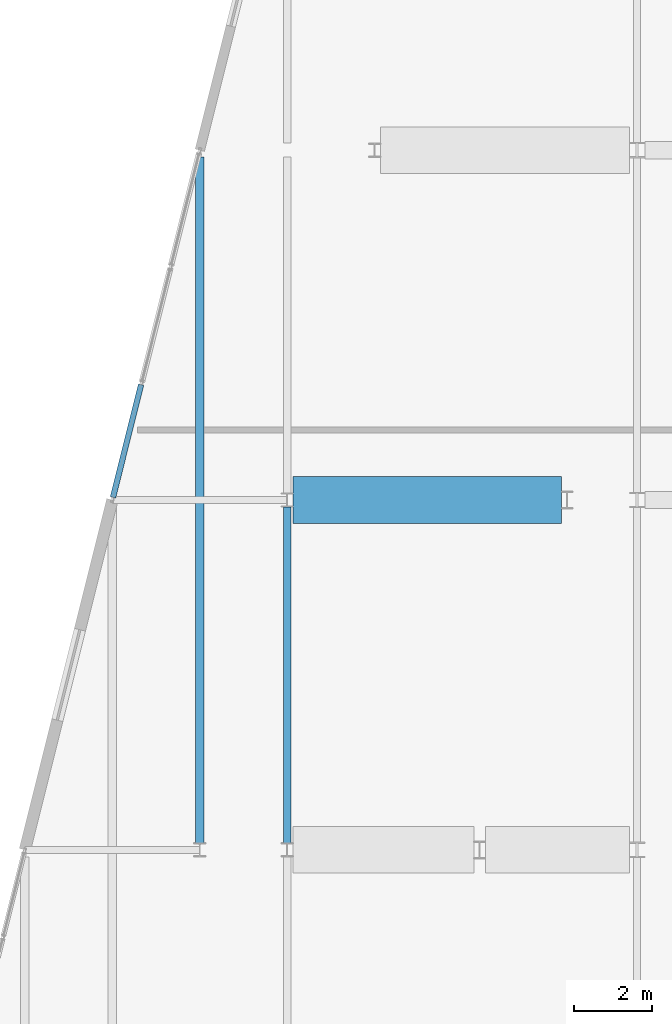
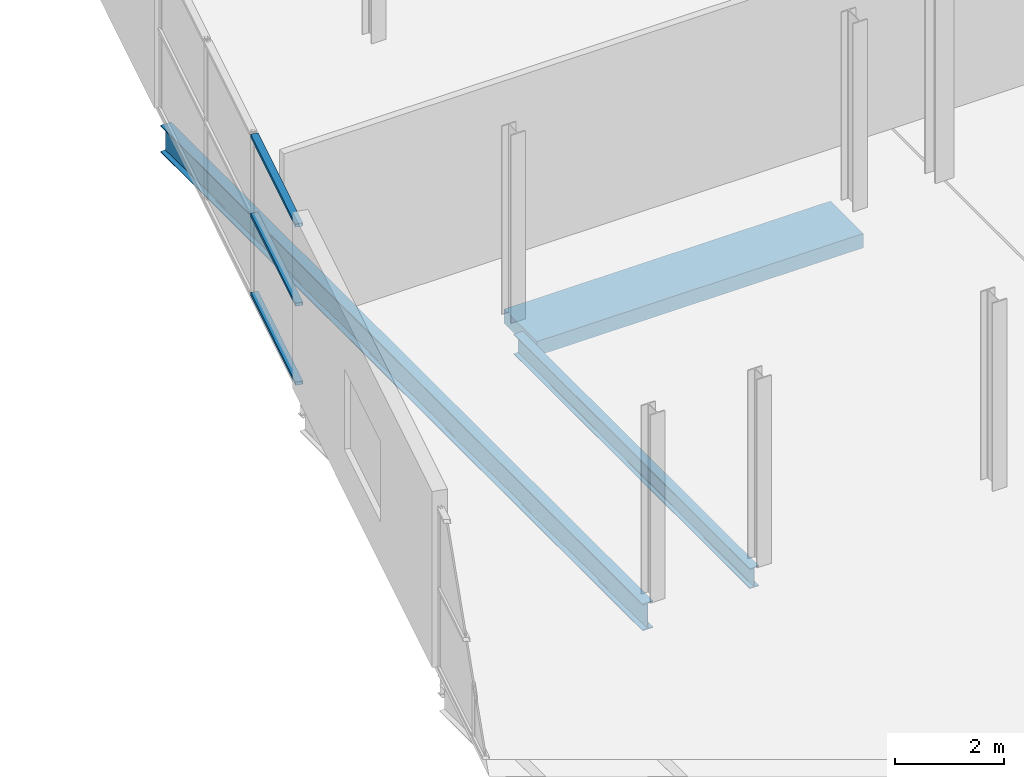
# One storey, part 91 of 132: 3 beams, 3 members, 1 element without a shape of its own.
"""IFC4 building model written with IfcOpenShell, lengths in metres."""

from ifc_helpers import new_model, si_unit, direction, frame, origin, origin_2d, place, context, subcontext, project, spatial, rectangle, hollow_rectangle, i_section, extrude, material, layer, layer_set, material_profile, profile_set, type_object, element, aggregate, save


model = new_model("IFC4")

# Units and contexts
model_context = context("Model", 3, precision=1e-05, world=origin(), true_north=direction((0.0, 1.0)))
body_context = subcontext(model_context, "Body", "Model", "MODEL_VIEW")
ifc_project = project(units=[si_unit("LENGTHUNIT", "METRE"), si_unit("AREAUNIT", "SQUARE_METRE"), si_unit("VOLUMEUNIT", "CUBIC_METRE"), si_unit("PLANEANGLEUNIT", "RADIAN"), si_unit("MASSUNIT", "GRAM", prefix="KILO")], contexts=[model_context])

# Site, building, storey
site_placement = place(None, origin())
site = spatial("IfcSite", under=ifc_project, at=site_placement, CompositionType="ELEMENT")
building_placement = place(site_placement, origin())
building = spatial("IfcBuilding", under=site, at=building_placement, Name="Deido Ridge Mobility Hub", CompositionType="ELEMENT")
storey_placement = place(building_placement, frame((0.0, 0.0, 8.39990234375)))
storey = spatial("IfcBuildingStorey", under=building, at=storey_placement, Name="L02", CompositionType="ELEMENT", Elevation=8.39990234375)

# Beams
ifc_material_1 = material(Name="Steel S355J2 EN 10025-2", Category="steel")
ifc_material_profile_1 = material_profile(ifc_material_1, i_section(OverallWidth=0.18994140625, OverallDepth=0.449951171875, WebThickness=0.009521484375, FlangeThickness=0.0146484375, FilletRadius=0.02099609375, at=origin_2d()), Name="IPE 450")
ifc_profile_set_1 = profile_set([ifc_material_profile_1], Name="Steel S355J2 EN 10025-2")
beam_type_1 = type_object("IfcBeamType", Name="BM-IPE450", PredefinedType="BEAM", material=ifc_profile_set_1)
beam_1_placement = place(storey_placement, frame((135.0, 45.179931640625, -0.47998046875), z_axis=(0.0, 1.0, 0.0), x_axis=(-1.0, 0.0, 0.0)))
element("IfcBeam", 1, at=beam_1_placement, inside=storey, type_object=beam_type_1, Name="Floor beam B4", PredefinedType="BEAM", context=body_context, shape_type="SweptSolid", body=[
    extrude(i_section(OverallWidth=0.18994140625, OverallDepth=0.449951171875, WebThickness=0.009521484375, FlangeThickness=0.0146484375, FilletRadius=0.02099609375, at=origin_2d()), origin(), (0.0, 0.0, 1.0), 8.64013671875),
])
ifc_material_profile_2 = material_profile(ifc_material_1, i_section(OverallWidth=0.219970703125, OverallDepth=0.60009765625, WebThickness=0.011962890625, FlangeThickness=0.01904296875, FilletRadius=0.02392578125, at=origin_2d()), Name="IPE 600")
ifc_profile_set_2 = profile_set([ifc_material_profile_2], Name="Steel S355J2 EN 10025-2")
beam_type_2 = type_object("IfcBeamType", Name="BM-IPE600", PredefinedType="BEAM", material=ifc_profile_set_2)
beam_2_placement = place(storey_placement, frame((132.75, 45.179931640625, -0.554931640625), z_axis=(0.0, 1.0, 0.0), x_axis=(-1.0, 0.0, 0.0)))
element("IfcBeam", 2, at=beam_2_placement, inside=storey, type_object=beam_type_2, Name="Floor beam B1", PredefinedType="BEAM", context=body_context, shape_type="SweptSolid", body=[
    extrude(i_section(OverallWidth=0.219970703125, OverallDepth=0.60009765625, WebThickness=0.011962890625, FlangeThickness=0.01904296875, FilletRadius=0.02392578125, at=origin_2d()), origin(), (0.0, 0.0, 1.0), 17.64013671875),
])
ifc_material_2 = material(Name="Precast concrete C40/50", Category="concrete")
ifc_material_profile_3 = material_profile(ifc_material_2, rectangle(XDim=1.199951171875, YDim=0.320068359375, at=origin_2d()), Name="RC HC 1200x320")
ifc_profile_set_3 = profile_set([ifc_material_profile_3], Name="Precast concrete C40/50")
beam_type_3 = type_object("IfcBeamType", Name="HC-1200X320", PredefinedType="HOLLOWCORE", material=ifc_profile_set_3)
beam_3_placement = place(storey_placement, frame((135.14990234375, 54.0, -0.414794921875), z_axis=(1.0, 0.0, 0.0), x_axis=(0.0, 1.0, 0.0)))
element("IfcBeam", 3, at=beam_3_placement, inside=storey, type_object=beam_type_3, Name="Precast hollowcore beam HC1", PredefinedType="HOLLOWCORE", context=body_context, shape_type="SweptSolid", body=[
    extrude(rectangle(XDim=1.199951171875, YDim=0.320068359375, at=origin_2d()), origin(), (0.0, 0.0, 1.0), 6.900146484375),
])

# Curtain wall, members
ifc_material_3 = material(Name="Anodised aluminium EN AW-6063 T6", Category="aluminium")
ifc_layer = layer(ifc_material_3, 0.239990234375, Name="Anodised aluminium EN AW-6063 T6")
ifc_layer_set = layer_set([ifc_layer], Name="Anodised aluminium EN AW-6063 T6")
curtain_wall_type = type_object("IfcCurtainWallType", Name="CW-UF-6", PredefinedType="USERDEFINED", material=ifc_layer_set)
curtain_wall_placement = place(storey_placement, origin())
curtain_wall = element("IfcCurtainWall", 4, at=curtain_wall_placement, inside=storey, type_object=curtain_wall_type, Name="Unitised curtain wall CW6", ObjectType="UNITISED FACADE", PredefinedType="USERDEFINED")
ifc_material_profile_4 = material_profile(ifc_material_3, hollow_rectangle(XDim=0.14501953125, YDim=0.070068359375, WallThickness=0.00390625, at=origin_2d()), Name="RHS 145x70x4")
ifc_profile_set_4 = profile_set([ifc_material_profile_4], Name="Anodised aluminium EN AW-6063 T6")
member_type = type_object("IfcMemberType", Name="MEM-TRN-145X70", PredefinedType="USERDEFINED", material=ifc_profile_set_4)
member_1_placement = place(storey_placement, frame((130.51708984375, 54.06787109375, 0.03515625), z_axis=(0.242477936405, 0.970156920481, 0.0), x_axis=(-0.970156920481, 0.242477936405, 0.0)))
member_1 = element("IfcMember", 5, at=member_1_placement, type_object=member_type, Name="CW6 transom 1.1", ObjectType="TRANSOM", PredefinedType="USERDEFINED", context=body_context, shape_type="SweptSolid", body=[
    extrude(hollow_rectangle(XDim=0.14501953125, YDim=0.070068359375, WallThickness=0.00390625, at=origin_2d()), origin(), (0.0, 0.0, 1.0), 2.9873046875),
])
member_2_placement = place(storey_placement, frame((130.51708984375, 54.06787109375, 1.800048828125), z_axis=(0.242477936405, 0.970156920481, 0.0), x_axis=(-0.970156920481, 0.242477936405, 0.0)))
member_2 = element("IfcMember", 6, at=member_2_placement, type_object=member_type, Name="CW6 transom 1.2", ObjectType="TRANSOM", PredefinedType="USERDEFINED", context=body_context, shape_type="SweptSolid", body=[
    extrude(hollow_rectangle(XDim=0.14501953125, YDim=0.070068359375, WallThickness=0.00390625, at=origin_2d()), origin(), (0.0, 0.0, 1.0), 2.9873046875),
])
member_3_placement = place(storey_placement, frame((130.51708984375, 54.06787109375, 3.565185546875), z_axis=(0.242477936405, 0.970156920481, 0.0), x_axis=(-0.970156920481, 0.242477936405, 0.0)))
member_3 = element("IfcMember", 7, at=member_3_placement, type_object=member_type, Name="CW6 transom 1.3", ObjectType="TRANSOM", PredefinedType="USERDEFINED", context=body_context, shape_type="SweptSolid", body=[
    extrude(hollow_rectangle(XDim=0.14501953125, YDim=0.070068359375, WallThickness=0.00390625, at=origin_2d()), origin(), (0.0, 0.0, 1.0), 2.9873046875),
])
aggregate(curtain_wall, [member_1, member_2, member_3])

save(model, "model.ifc")
